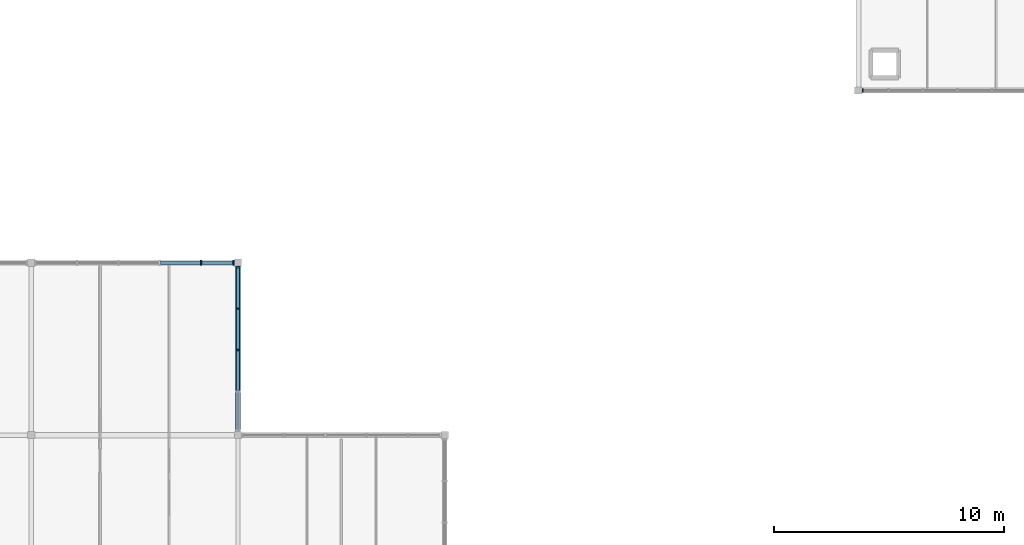
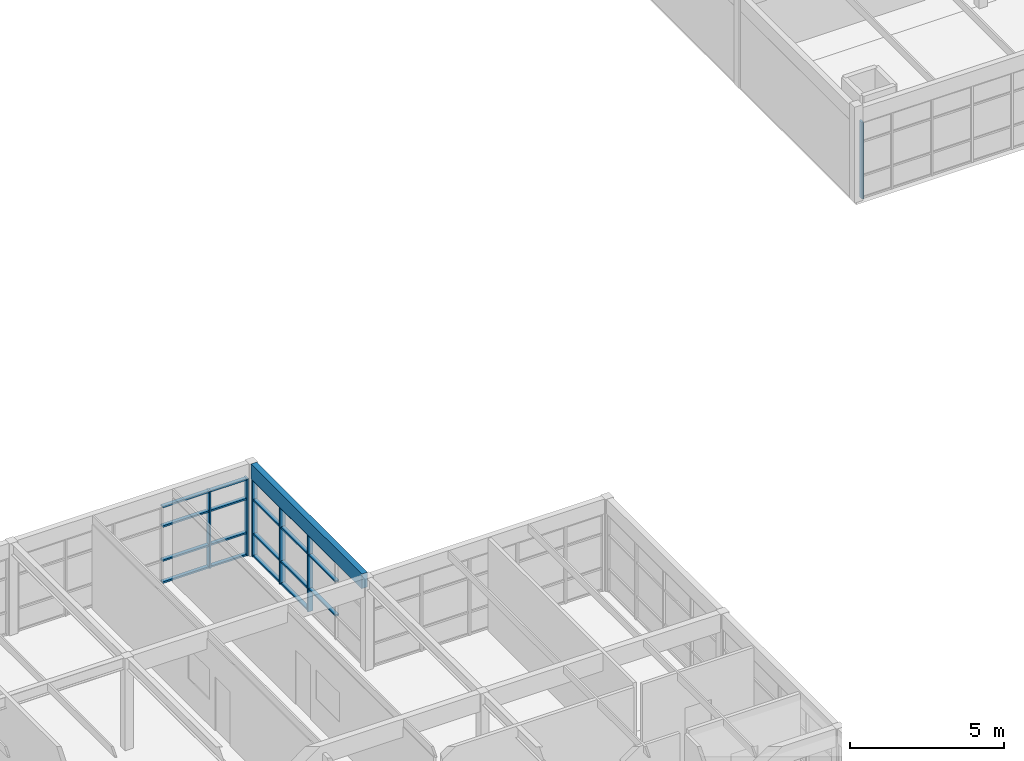
# One storey, part 8 of 24: 25 members, 1 beam, 3 elements without a shape of their own.
"""IFC4 building model written with IfcOpenShell, lengths in metres."""

from ifc_helpers import new_model, si_unit, direction, frame, origin, origin_2d, place, context, subcontext, project, spatial, rectangle, extrude, material, layer, layer_set, material_profile, profile_set, type_object, element, aggregate, save


model = new_model("IFC4")

# Units and contexts
model_context = context("Model", 3, precision=1e-05, world=origin(), true_north=direction((0.0, 1.0)))
body_context = subcontext(model_context, "Body", "Model", "MODEL_VIEW")
ifc_project = project(units=[si_unit("LENGTHUNIT", "METRE"), si_unit("AREAUNIT", "SQUARE_METRE"), si_unit("VOLUMEUNIT", "CUBIC_METRE"), si_unit("PLANEANGLEUNIT", "RADIAN"), si_unit("MASSUNIT", "GRAM", prefix="KILO")], contexts=[model_context])

# Site, building, storey
site_placement = place(None, origin())
site = spatial("IfcSite", under=ifc_project, at=site_placement, CompositionType="ELEMENT")
building_placement = place(site_placement, origin())
building = spatial("IfcBuilding", under=site, at=building_placement, Name="Marnridge Secondary College", CompositionType="ELEMENT")
storey_placement = place(building_placement, frame((0.0, 0.0, 16.10009765625)))
storey = spatial("IfcBuildingStorey", under=building, at=storey_placement, Name="L04", CompositionType="ELEMENT", Elevation=16.10009765625)

# Beam
ifc_material_1 = material(Name="Glulam timber GL18", Category="wood")
ifc_material_profile_1 = material_profile(ifc_material_1, rectangle(XDim=0.215087890625, YDim=0.5849609375, at=origin_2d()), Name="GL18 215x585")
ifc_profile_set_1 = profile_set([ifc_material_profile_1], Name="Glulam timber GL18")
beam_type = type_object("IfcBeamType", Name="BM-GL585-EXT", PredefinedType="SPANDREL", material=ifc_profile_set_1)
beam_placement = place(storey_placement, frame((27.0, 30.151611328125, 3.357421875), z_axis=(0.0, 1.0, 0.0), x_axis=(-1.0, 0.0, 0.0)))
element("IfcBeam", 1, at=beam_placement, inside=storey, type_object=beam_type, Name="Beam BRF-L04-1429", PredefinedType="SPANDREL", context=body_context, shape_type="SweptSolid", body=[
    extrude(rectangle(XDim=0.215087890625, YDim=0.5849609375, at=origin_2d()), origin(), (0.0, 0.0, 1.0), 7.19677734375),
])

# Curtain wall, member
ifc_material_2 = material(Name="Thermally broken aluminium and low-E glazing", Category="aluminium")
ifc_layer_1 = layer(ifc_material_2, 0.159912109375)
ifc_layer_set_1 = layer_set([ifc_layer_1], Name="CW-MOD-1500")
curtain_wall_type_1 = type_object("IfcCurtainWallType", Name="CW-MOD-1500", PredefinedType="NOTDEFINED", material=ifc_layer_set_1)
curtain_wall_1_placement = place(storey_placement, origin())
curtain_wall_1 = element("IfcCurtainWall", 2, at=curtain_wall_1_placement, inside=storey, type_object=curtain_wall_type_1, Name="Unitised curtain wall CW-L04-139", PredefinedType="NOTDEFINED")
ifc_material_3 = material(Name="Anodised aluminium 6063-T6", Category="aluminium")
ifc_material_profile_2 = material_profile(ifc_material_3, rectangle(XDim=0.06005859375, YDim=0.159912109375, at=origin_2d()), Name="ALU 60x160")
ifc_profile_set_2 = profile_set([ifc_material_profile_2], Name="Anodised aluminium 6063-T6")
member_type_1 = type_object("IfcMemberType", Name="CWM-ALU160", PredefinedType="MULLION", material=ifc_profile_set_2)
member_1_placement = place(storey_placement, frame((54.19140625, 45.0, 0.0), z_axis=(0.0, 0.0, 1.0), x_axis=(-1.0, 0.0, 0.0)))
member_1 = element("IfcMember", 3, at=member_1_placement, type_object=member_type_1, Name="CW-L04-139 mullion 7", PredefinedType="MULLION", context=body_context, shape_type="SweptSolid", body=[
    extrude(rectangle(XDim=0.06005859375, YDim=0.159912109375, at=origin_2d()), origin(), (0.0, 0.0, 1.0), 3.046875),
])
aggregate(curtain_wall_1, [member_1])

# Curtain wall, members
ifc_material_4 = material(Name="Bronze-anodised aluminium and solar-control glazing", Category="aluminium")
ifc_layer_2 = layer(ifc_material_4, 0.199951171875)
ifc_layer_set_2 = layer_set([ifc_layer_2], Name="CW-MOD-1800")
curtain_wall_type_2 = type_object("IfcCurtainWallType", Name="CW-MOD-1800", PredefinedType="NOTDEFINED", material=ifc_layer_set_2)
curtain_wall_2_placement = place(storey_placement, origin())
curtain_wall_2 = element("IfcCurtainWall", 4, at=curtain_wall_2_placement, inside=storey, type_object=curtain_wall_type_2, Name="Unitised curtain wall CW-L04-142", PredefinedType="NOTDEFINED")
ifc_material_5 = material(Name="Bronze-anodised aluminium 6063-T6", Category="aluminium")
ifc_material_profile_3 = material_profile(ifc_material_5, rectangle(XDim=0.070068359375, YDim=0.199951171875, at=origin_2d()), Name="ALU 70x200")
ifc_profile_set_3 = profile_set([ifc_material_profile_3], Name="Bronze-anodised aluminium 6063-T6")
member_type_2 = type_object("IfcMemberType", Name="CWM-ALU200", PredefinedType="MULLION", material=ifc_profile_set_3)
member_2_placement = place(storey_placement, frame((25.396484375, 37.5, 0.0), z_axis=(0.0, 0.0, 1.0), x_axis=(1.0, 0.0, 0.0)))
member_2 = element("IfcMember", 5, at=member_2_placement, type_object=member_type_2, Name="CW-L04-142 mullion 5", PredefinedType="MULLION", context=body_context, shape_type="SweptSolid", body=[
    extrude(rectangle(XDim=0.070068359375, YDim=0.199951171875, at=origin_2d()), origin(), (0.0, 0.0, 1.0), 3.056884765625),
])
member_3_placement = place(storey_placement, frame((26.803466796875, 37.5, 0.0), z_axis=(0.0, 0.0, 1.0), x_axis=(1.0, 0.0, 0.0)))
member_3 = element("IfcMember", 6, at=member_3_placement, type_object=member_type_2, Name="CW-L04-142 mullion 6", PredefinedType="MULLION", context=body_context, shape_type="SweptSolid", body=[
    extrude(rectangle(XDim=0.070068359375, YDim=0.199951171875, at=origin_2d()), origin(), (0.0, 0.0, 1.0), 3.056884765625),
])

curtain_wall_3_placement = place(storey_placement, origin())
curtain_wall_3 = element("IfcCurtainWall", 7, at=curtain_wall_3_placement, inside=storey, type_object=curtain_wall_type_2, Name="Unitised curtain wall CW-L04-143", PredefinedType="NOTDEFINED")
member_4_placement = place(storey_placement, frame((27.0, 37.303466796875, 0.0), z_axis=(0.0, 0.0, 1.0), x_axis=(0.0, -1.0, 0.0)))
member_4 = element("IfcMember", 8, at=member_4_placement, type_object=member_type_2, Name="CW-L04-143 mullion 1", PredefinedType="MULLION", context=body_context, shape_type="SweptSolid", body=[
    extrude(rectangle(XDim=0.070068359375, YDim=0.199951171875, at=origin_2d()), origin(), (0.0, 0.0, 1.0), 3.056884765625),
])
member_5_placement = place(storey_placement, frame((27.0, 35.50341796875, 0.0), z_axis=(0.0, 0.0, 1.0), x_axis=(0.0, -1.0, 0.0)))
member_5 = element("IfcMember", 9, at=member_5_placement, type_object=member_type_2, Name="CW-L04-143 mullion 2", PredefinedType="MULLION", context=body_context, shape_type="SweptSolid", body=[
    extrude(rectangle(XDim=0.070068359375, YDim=0.199951171875, at=origin_2d()), origin(), (0.0, 0.0, 1.0), 3.056884765625),
])
member_6_placement = place(storey_placement, frame((27.0, 33.70361328125, 0.0), z_axis=(0.0, 0.0, 1.0), x_axis=(0.0, -1.0, 0.0)))
member_6 = element("IfcMember", 10, at=member_6_placement, type_object=member_type_2, Name="CW-L04-143 mullion 3", PredefinedType="MULLION", context=body_context, shape_type="SweptSolid", body=[
    extrude(rectangle(XDim=0.070068359375, YDim=0.199951171875, at=origin_2d()), origin(), (0.0, 0.0, 1.0), 3.056884765625),
])

# Member
ifc_material_6 = material(Name="Anodised aluminium 6063-T6", Category="aluminium")
ifc_material_profile_4 = material_profile(ifc_material_6, rectangle(XDim=0.06494140625, YDim=0.139892578125, at=origin_2d()), Name="ALU 65x140")
ifc_profile_set_4 = profile_set([ifc_material_profile_4], Name="Anodised aluminium 6063-T6")
member_type_3 = type_object("IfcMemberType", Name="CWT-ALU140", PredefinedType="USERDEFINED", material=ifc_profile_set_4)
member_7_placement = place(storey_placement, frame((23.631591796875, 37.5, 0.032470703125), z_axis=(1.0, 0.0, 0.0), x_axis=(0.0, 0.0, 1.0)))
member_7 = element("IfcMember", 11, at=member_7_placement, type_object=member_type_3, Name="CW-L04-142 transom 4.1", ObjectType="TRANSOM", PredefinedType="USERDEFINED", context=body_context, shape_type="SweptSolid", body=[
    extrude(rectangle(XDim=0.06494140625, YDim=0.139892578125, at=origin_2d()), origin(), (0.0, 0.0, 1.0), 1.72998046875),
])

member_8_placement = place(storey_placement, frame((23.631591796875, 37.5, 0.89990234375), z_axis=(1.0, 0.0, 0.0), x_axis=(0.0, 0.0, 1.0)))
member_8 = element("IfcMember", 12, at=member_8_placement, type_object=member_type_3, Name="CW-L04-142 transom 4.2", ObjectType="TRANSOM", PredefinedType="USERDEFINED", context=body_context, shape_type="SweptSolid", body=[
    extrude(rectangle(XDim=0.06494140625, YDim=0.139892578125, at=origin_2d()), origin(), (0.0, 0.0, 1.0), 1.72998046875),
])

member_9_placement = place(storey_placement, frame((23.631591796875, 37.5, 2.25), z_axis=(1.0, 0.0, 0.0), x_axis=(0.0, 0.0, 1.0)))
member_9 = element("IfcMember", 13, at=member_9_placement, type_object=member_type_3, Name="CW-L04-142 transom 4.3", ObjectType="TRANSOM", PredefinedType="USERDEFINED", context=body_context, shape_type="SweptSolid", body=[
    extrude(rectangle(XDim=0.06494140625, YDim=0.139892578125, at=origin_2d()), origin(), (0.0, 0.0, 1.0), 1.72998046875),
])

member_10_placement = place(storey_placement, frame((23.631591796875, 37.5, 3.0244140625), z_axis=(1.0, 0.0, 0.0), x_axis=(0.0, 0.0, 1.0)))
member_10 = element("IfcMember", 14, at=member_10_placement, type_object=member_type_3, Name="CW-L04-142 transom 4.4", ObjectType="TRANSOM", PredefinedType="USERDEFINED", context=body_context, shape_type="SweptSolid", body=[
    extrude(rectangle(XDim=0.06494140625, YDim=0.139892578125, at=origin_2d()), origin(), (0.0, 0.0, 1.0), 1.72998046875),
])

member_11_placement = place(storey_placement, frame((25.431396484375, 37.5, 0.032470703125), z_axis=(1.0, 0.0, 0.0), x_axis=(0.0, 0.0, 1.0)))
member_11 = element("IfcMember", 15, at=member_11_placement, type_object=member_type_3, Name="CW-L04-142 transom 5.1", ObjectType="TRANSOM", PredefinedType="USERDEFINED", context=body_context, shape_type="SweptSolid", body=[
    extrude(rectangle(XDim=0.06494140625, YDim=0.139892578125, at=origin_2d()), origin(), (0.0, 0.0, 1.0), 1.337158203125),
])

member_12_placement = place(storey_placement, frame((25.431396484375, 37.5, 0.89990234375), z_axis=(1.0, 0.0, 0.0), x_axis=(0.0, 0.0, 1.0)))
member_12 = element("IfcMember", 16, at=member_12_placement, type_object=member_type_3, Name="CW-L04-142 transom 5.2", ObjectType="TRANSOM", PredefinedType="USERDEFINED", context=body_context, shape_type="SweptSolid", body=[
    extrude(rectangle(XDim=0.06494140625, YDim=0.139892578125, at=origin_2d()), origin(), (0.0, 0.0, 1.0), 1.337158203125),
])

member_13_placement = place(storey_placement, frame((25.431396484375, 37.5, 2.25), z_axis=(1.0, 0.0, 0.0), x_axis=(0.0, 0.0, 1.0)))
member_13 = element("IfcMember", 17, at=member_13_placement, type_object=member_type_3, Name="CW-L04-142 transom 5.3", ObjectType="TRANSOM", PredefinedType="USERDEFINED", context=body_context, shape_type="SweptSolid", body=[
    extrude(rectangle(XDim=0.06494140625, YDim=0.139892578125, at=origin_2d()), origin(), (0.0, 0.0, 1.0), 1.337158203125),
])

member_14_placement = place(storey_placement, frame((25.431396484375, 37.5, 3.0244140625), z_axis=(1.0, 0.0, 0.0), x_axis=(0.0, 0.0, 1.0)))
member_14 = element("IfcMember", 18, at=member_14_placement, type_object=member_type_3, Name="CW-L04-142 transom 5.4", ObjectType="TRANSOM", PredefinedType="USERDEFINED", context=body_context, shape_type="SweptSolid", body=[
    extrude(rectangle(XDim=0.06494140625, YDim=0.139892578125, at=origin_2d()), origin(), (0.0, 0.0, 1.0), 1.337158203125),
])

aggregate(curtain_wall_2, [member_2, member_3, member_7, member_8, member_9, member_10, member_11, member_12, member_13, member_14])

member_15_placement = place(storey_placement, frame((27.0, 37.2685546875, 0.032470703125), z_axis=(0.0, -1.0, 0.0), x_axis=(0.0, 0.0, 1.0)))
member_15 = element("IfcMember", 19, at=member_15_placement, type_object=member_type_3, Name="CW-L04-143 transom 1.1", ObjectType="TRANSOM", PredefinedType="USERDEFINED", context=body_context, shape_type="SweptSolid", body=[
    extrude(rectangle(XDim=0.06494140625, YDim=0.139892578125, at=origin_2d()), origin(), (0.0, 0.0, 1.0), 1.72998046875),
])

member_16_placement = place(storey_placement, frame((27.0, 37.2685546875, 0.89990234375), z_axis=(0.0, -1.0, 0.0), x_axis=(0.0, 0.0, 1.0)))
member_16 = element("IfcMember", 20, at=member_16_placement, type_object=member_type_3, Name="CW-L04-143 transom 1.2", ObjectType="TRANSOM", PredefinedType="USERDEFINED", context=body_context, shape_type="SweptSolid", body=[
    extrude(rectangle(XDim=0.06494140625, YDim=0.139892578125, at=origin_2d()), origin(), (0.0, 0.0, 1.0), 1.72998046875),
])

member_17_placement = place(storey_placement, frame((27.0, 37.2685546875, 2.25), z_axis=(0.0, -1.0, 0.0), x_axis=(0.0, 0.0, 1.0)))
member_17 = element("IfcMember", 21, at=member_17_placement, type_object=member_type_3, Name="CW-L04-143 transom 1.3", ObjectType="TRANSOM", PredefinedType="USERDEFINED", context=body_context, shape_type="SweptSolid", body=[
    extrude(rectangle(XDim=0.06494140625, YDim=0.139892578125, at=origin_2d()), origin(), (0.0, 0.0, 1.0), 1.72998046875),
])

member_18_placement = place(storey_placement, frame((27.0, 37.2685546875, 3.0244140625), z_axis=(0.0, -1.0, 0.0), x_axis=(0.0, 0.0, 1.0)))
member_18 = element("IfcMember", 22, at=member_18_placement, type_object=member_type_3, Name="CW-L04-143 transom 1.4", ObjectType="TRANSOM", PredefinedType="USERDEFINED", context=body_context, shape_type="SweptSolid", body=[
    extrude(rectangle(XDim=0.06494140625, YDim=0.139892578125, at=origin_2d()), origin(), (0.0, 0.0, 1.0), 1.72998046875),
])

member_19_placement = place(storey_placement, frame((27.0, 35.468505859375, 0.032470703125), z_axis=(0.0, -1.0, 0.0), x_axis=(0.0, 0.0, 1.0)))
member_19 = element("IfcMember", 23, at=member_19_placement, type_object=member_type_3, Name="CW-L04-143 transom 2.1", ObjectType="TRANSOM", PredefinedType="USERDEFINED", context=body_context, shape_type="SweptSolid", body=[
    extrude(rectangle(XDim=0.06494140625, YDim=0.139892578125, at=origin_2d()), origin(), (0.0, 0.0, 1.0), 1.72998046875),
])

member_20_placement = place(storey_placement, frame((27.0, 35.468505859375, 0.89990234375), z_axis=(0.0, -1.0, 0.0), x_axis=(0.0, 0.0, 1.0)))
member_20 = element("IfcMember", 24, at=member_20_placement, type_object=member_type_3, Name="CW-L04-143 transom 2.2", ObjectType="TRANSOM", PredefinedType="USERDEFINED", context=body_context, shape_type="SweptSolid", body=[
    extrude(rectangle(XDim=0.06494140625, YDim=0.139892578125, at=origin_2d()), origin(), (0.0, 0.0, 1.0), 1.72998046875),
])

member_21_placement = place(storey_placement, frame((27.0, 35.468505859375, 2.25), z_axis=(0.0, -1.0, 0.0), x_axis=(0.0, 0.0, 1.0)))
member_21 = element("IfcMember", 25, at=member_21_placement, type_object=member_type_3, Name="CW-L04-143 transom 2.3", ObjectType="TRANSOM", PredefinedType="USERDEFINED", context=body_context, shape_type="SweptSolid", body=[
    extrude(rectangle(XDim=0.06494140625, YDim=0.139892578125, at=origin_2d()), origin(), (0.0, 0.0, 1.0), 1.72998046875),
])

member_22_placement = place(storey_placement, frame((27.0, 35.468505859375, 3.0244140625), z_axis=(0.0, -1.0, 0.0), x_axis=(0.0, 0.0, 1.0)))
member_22 = element("IfcMember", 26, at=member_22_placement, type_object=member_type_3, Name="CW-L04-143 transom 2.4", ObjectType="TRANSOM", PredefinedType="USERDEFINED", context=body_context, shape_type="SweptSolid", body=[
    extrude(rectangle(XDim=0.06494140625, YDim=0.139892578125, at=origin_2d()), origin(), (0.0, 0.0, 1.0), 1.72998046875),
])

member_23_placement = place(storey_placement, frame((27.0, 33.66845703125, 0.89990234375), z_axis=(0.0, -1.0, 0.0), x_axis=(0.0, 0.0, 1.0)))
member_23 = element("IfcMember", 27, at=member_23_placement, type_object=member_type_3, Name="CW-L04-143 transom 3.2", ObjectType="TRANSOM", PredefinedType="USERDEFINED", context=body_context, shape_type="SweptSolid", body=[
    extrude(rectangle(XDim=0.06494140625, YDim=0.139892578125, at=origin_2d()), origin(), (0.0, 0.0, 1.0), 1.72998046875),
])

member_24_placement = place(storey_placement, frame((27.0, 33.66845703125, 2.25), z_axis=(0.0, -1.0, 0.0), x_axis=(0.0, 0.0, 1.0)))
member_24 = element("IfcMember", 28, at=member_24_placement, type_object=member_type_3, Name="CW-L04-143 transom 3.3", ObjectType="TRANSOM", PredefinedType="USERDEFINED", context=body_context, shape_type="SweptSolid", body=[
    extrude(rectangle(XDim=0.06494140625, YDim=0.139892578125, at=origin_2d()), origin(), (0.0, 0.0, 1.0), 1.72998046875),
])

member_25_placement = place(storey_placement, frame((27.0, 33.66845703125, 3.0244140625), z_axis=(0.0, -1.0, 0.0), x_axis=(0.0, 0.0, 1.0)))
member_25 = element("IfcMember", 29, at=member_25_placement, type_object=member_type_3, Name="CW-L04-143 transom 3.4", ObjectType="TRANSOM", PredefinedType="USERDEFINED", context=body_context, shape_type="SweptSolid", body=[
    extrude(rectangle(XDim=0.06494140625, YDim=0.139892578125, at=origin_2d()), origin(), (0.0, 0.0, 1.0), 1.72998046875),
])

aggregate(curtain_wall_3, [member_4, member_5, member_6, member_15, member_16, member_17, member_18, member_19, member_20, member_21, member_22, member_23, member_24, member_25])

save(model, "model.ifc")
